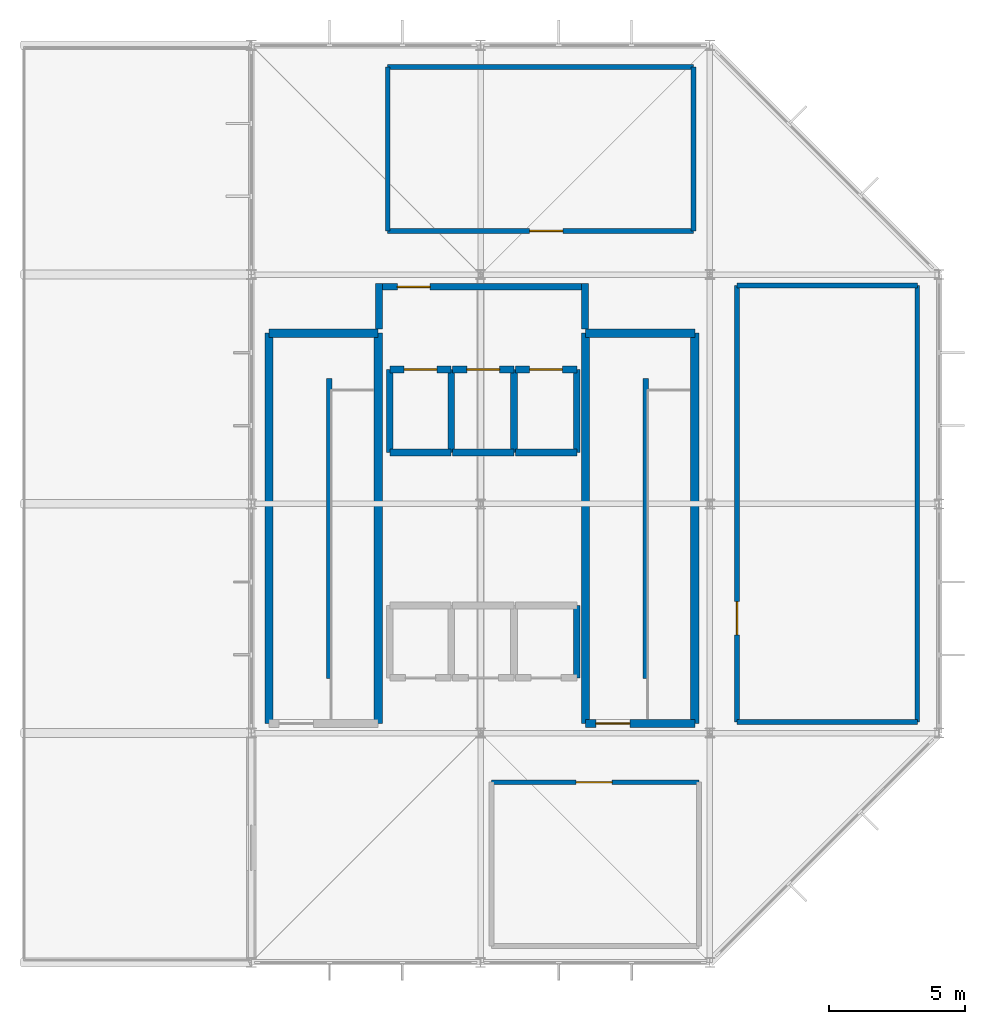
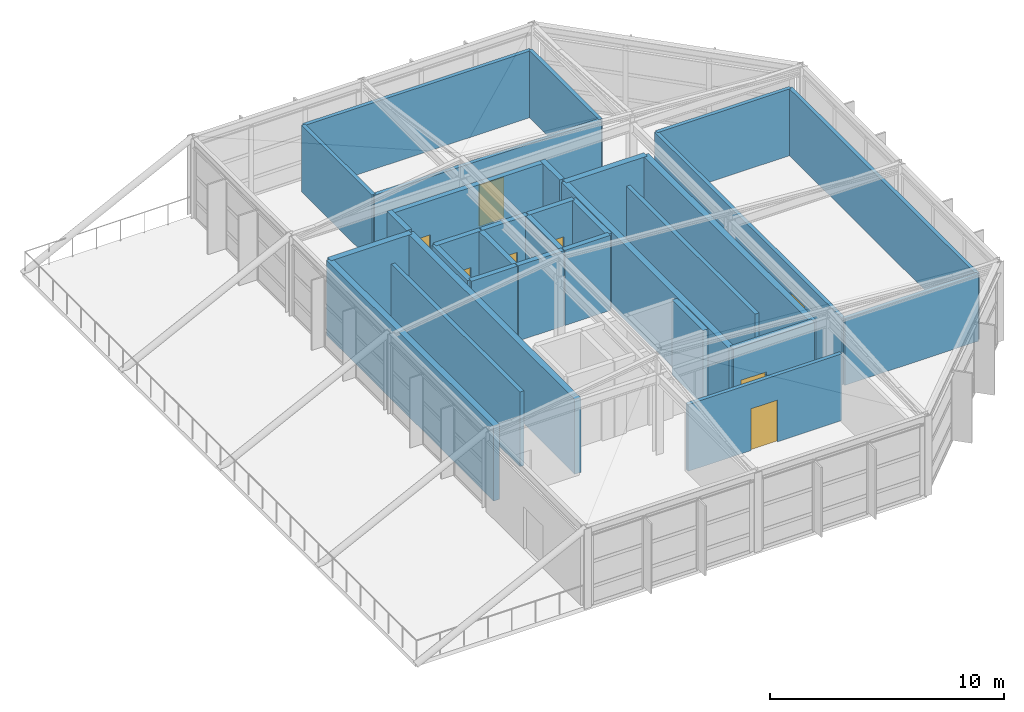
# One storey, part 8 of 9: 32 walls, 8 doors, 8 openings.
"""IFC4 building model written with IfcOpenShell, lengths in metres."""

from ifc_helpers import new_model, si_unit, direction, frame, frame_2d, origin, place, context, subcontext, project, spatial, rectangle, extrude, material, layer, layer_set, type_object, element, fill, save


model = new_model("IFC4")

# Units and contexts
model_context = context("Model", 3, precision=1e-05, world=origin(), true_north=direction((0.0, 1.0)))
body_context = subcontext(model_context, "Body", "Model", "MODEL_VIEW")
ifc_project = project(units=[si_unit("LENGTHUNIT", "METRE"), si_unit("AREAUNIT", "SQUARE_METRE"), si_unit("VOLUMEUNIT", "CUBIC_METRE"), si_unit("PLANEANGLEUNIT", "RADIAN"), si_unit("MASSUNIT", "GRAM", prefix="KILO")], contexts=[model_context])

# Site, building, storey
site_placement = place(None, origin())
site = spatial("IfcSite", under=ifc_project, at=site_placement, CompositionType="ELEMENT")
building_placement = place(site_placement, origin())
building = spatial("IfcBuilding", under=site, at=building_placement, Name="Xuanlan Plaza Opera House", CompositionType="ELEMENT")
storey_placement = place(building_placement, frame((0.0, 0.0, 74.39990234375)))
storey = spatial("IfcBuildingStorey", under=building, at=storey_placement, Name="ROOF", CompositionType="ELEMENT", Elevation=74.39990234375)

# Wall, opening, door
ifc_material_1 = material(Name="Gypsum Board and Galvanised Steel Studs", Category="gypsum")
ifc_layer_1 = layer(ifc_material_1, 0.179931640625)
ifc_layer_set_1 = layer_set([ifc_layer_1], Name="Gypsum Board and Galvanised Steel Studs")
wall_type_1 = type_object("IfcWallType", Name="INT-WL-PW-02", PredefinedType="PARTITIONING", material=ifc_layer_set_1)
wall_1_placement = place(storey_placement, frame((143.199951171875, 48.60009765625, 0.0), z_axis=(0.0, 0.0, 1.0), x_axis=(1.0, 0.0, 0.0)))
wall_1 = element("IfcWall", 1, at=wall_1_placement, inside=storey, type_object=wall_type_1, Name="Crown Electrical Switchgear Plant Room Wall North", PredefinedType="PARTITIONING", context=body_context, shape_type="SweptSolid", body=[
    extrude(rectangle(XDim=7.60009765625, YDim=0.179931640625, at=frame_2d((3.800048828125, 0.0))), origin(), (0.0, 0.0, 1.0), 3.47998046875),
])
opening_1_placement = place(wall_1_placement, frame((3.10009765625, 0.0, 0.0)))
opening_1 = element("IfcOpeningElement", 2, at=opening_1_placement, cuts=wall_1, Name="Opening D-07", PredefinedType="OPENING", context=body_context, shape_type="SweptSolid", body=[
    extrude(rectangle(XDim=1.320068359375, YDim=2.179931640625, at=frame_2d((0.66015625, 1.08984375))), frame((0.0, 0.099853515625, 0.0), z_axis=(0.0, -1.0, 0.0), x_axis=(1.0, 0.0, 0.0)), (0.0, 0.0, 1.0), 0.199951171875),
])
ifc_material_2 = material(Name="Walnut Hardwood Timber", Category="wood")
door_type_1 = type_object("IfcDoorType", Name="INT-DR-D-07", OperationType="NOTDEFINED", PredefinedType="DOOR", material=ifc_material_2)
door_1_placement = place(opening_1_placement, origin())
door_1 = element("IfcDoor", 3, at=door_1_placement, inside=storey, type_object=door_type_1, Name="Crown Electrical Switchgear Plant Room Door 1", OperationType="SINGLE_SWING_LEFT", OverallHeight=2.179931640625, OverallWidth=1.320068359375, PredefinedType="DOOR", context=body_context, shape_type="SweptSolid", body=[
    extrude(rectangle(XDim=1.320068359375, YDim=2.179931640625, at=frame_2d((0.66015625, 1.08984375))), frame((0.0, 0.02490234375, 0.0), z_axis=(0.0, -1.0, 0.0), x_axis=(1.0, 0.0, 0.0)), (0.0, 0.0, 1.0), 0.050048828125),
])
fill(opening_1, door_1)

# Walls
for number, where, z_axis, x_axis, name in (
    (4, (152.199951171875, 50.800048828125, 0.0), (0.0, 0.0, 1.0), (1.0, 0.0, 0.0), "Crown Acoustic Equipment Maintenance Store Wall South"),
    (5, (152.199951171875, 66.800048828125, 0.0), (0.0, 0.0, 1.0), (1.0, 0.0, 0.0), "Crown Acoustic Equipment Maintenance Store Wall North"),
):
    element("IfcWall", number, at=place(storey_placement, frame(where, z_axis=z_axis, x_axis=x_axis)), inside=storey, type_object=wall_type_1, Name=name, PredefinedType="PARTITIONING", context=body_context, shape_type="SweptSolid", body=[
        extrude(rectangle(XDim=6.60009765625, YDim=0.179931640625, at=frame_2d((3.300048828125, 0.0))), origin(), (0.0, 0.0, 1.0), 3.47998046875),
    ])

# Wall, opening, door
wall_2_placement = place(storey_placement, frame((152.199951171875, 50.800048828125, 0.0), z_axis=(0.0, 0.0, 1.0), x_axis=(0.0, 1.0, 0.0)))
wall_2 = element("IfcWall", 6, at=wall_2_placement, inside=storey, type_object=wall_type_1, Name="Crown Acoustic Equipment Maintenance Store Wall West", PredefinedType="PARTITIONING", context=body_context, shape_type="SweptSolid", body=[
    extrude(rectangle(XDim=16.0, YDim=0.179931640625, at=frame_2d((8.0, 0.0))), origin(), (0.0, 0.0, 1.0), 3.47998046875),
])
opening_2_placement = place(wall_2_placement, frame((3.199951171875, 0.0, 0.0)))
opening_2 = element("IfcOpeningElement", 7, at=opening_2_placement, cuts=wall_2, Name="Opening D-05", PredefinedType="OPENING", context=body_context, shape_type="SweptSolid", body=[
    extrude(rectangle(XDim=1.219970703125, YDim=2.14990234375, at=frame_2d((0.60986328125, 1.074951171875))), frame((0.0, 0.099853515625, 0.0), z_axis=(0.0, -1.0, 0.0), x_axis=(1.0, 0.0, 0.0)), (0.0, 0.0, 1.0), 0.199951171875),
])
door_type_2 = type_object("IfcDoorType", Name="INT-DR-D-05", OperationType="NOTDEFINED", PredefinedType="DOOR", material=ifc_material_2)
door_2_placement = place(opening_2_placement, origin())
door_2 = element("IfcDoor", 8, at=door_2_placement, inside=storey, type_object=door_type_2, Name="Crown Acoustic Equipment Maintenance Store Door 1", OperationType="SINGLE_SWING_LEFT", OverallHeight=2.14990234375, OverallWidth=1.219970703125, PredefinedType="DOOR", context=body_context, shape_type="SweptSolid", body=[
    extrude(rectangle(XDim=1.219970703125, YDim=2.14990234375, at=frame_2d((0.60986328125, 1.074951171875))), frame((0.0, 0.02490234375, 0.0), z_axis=(0.0, -1.0, 0.0), x_axis=(1.0, 0.0, 0.0)), (0.0, 0.0, 1.0), 0.050048828125),
])
fill(opening_2, door_2)

# Wall
wall_3_placement = place(storey_placement, frame((158.800048828125, 50.800048828125, 0.0), z_axis=(0.0, 0.0, 1.0), x_axis=(0.0, 1.0, 0.0)))
element("IfcWall", 9, at=wall_3_placement, inside=storey, type_object=wall_type_1, Name="Crown Acoustic Equipment Maintenance Store Wall East", PredefinedType="PARTITIONING", context=body_context, shape_type="SweptSolid", body=[
    extrude(rectangle(XDim=16.0, YDim=0.179931640625, at=frame_2d((8.0, 0.0))), origin(), (0.0, 0.0, 1.0), 3.47998046875),
])

# Wall, opening, door
wall_4_placement = place(storey_placement, frame((139.39990234375, 68.800048828125, 0.0), z_axis=(0.0, 0.0, 1.0), x_axis=(1.0, 0.0, 0.0)))
wall_4 = element("IfcWall", 10, at=wall_4_placement, inside=storey, type_object=wall_type_1, Name="Crown Heat-Recovery Plant Room Wall South", PredefinedType="PARTITIONING", context=body_context, shape_type="SweptSolid", body=[
    extrude(rectangle(XDim=11.2001953125, YDim=0.179931640625, at=frame_2d((5.60009765625, 0.0))), origin(), (0.0, 0.0, 1.0), 3.47998046875),
])
opening_3_placement = place(wall_4_placement, frame((5.199951171875, 0.0, 0.0)))
opening_3 = element("IfcOpeningElement", 11, at=opening_3_placement, cuts=wall_4, Name="Opening D-05", PredefinedType="OPENING", context=body_context, shape_type="SweptSolid", body=[
    extrude(rectangle(XDim=1.219970703125, YDim=2.14990234375, at=frame_2d((0.60986328125, 1.074951171875))), frame((0.0, 0.099853515625, 0.0), z_axis=(0.0, -1.0, 0.0), x_axis=(1.0, 0.0, 0.0)), (0.0, 0.0, 1.0), 0.199951171875),
])
door_3_placement = place(opening_3_placement, origin())
door_3 = element("IfcDoor", 12, at=door_3_placement, inside=storey, type_object=door_type_2, Name="Crown Heat-Recovery Plant Room Door 1", OperationType="SINGLE_SWING_LEFT", OverallHeight=2.14990234375, OverallWidth=1.219970703125, PredefinedType="DOOR", context=body_context, shape_type="SweptSolid", body=[
    extrude(rectangle(XDim=1.219970703125, YDim=2.14990234375, at=frame_2d((0.60986328125, 1.074951171875))), frame((0.0, 0.02490234375, 0.0), z_axis=(0.0, -1.0, 0.0), x_axis=(1.0, 0.0, 0.0)), (0.0, 0.0, 1.0), 0.050048828125),
])
fill(opening_3, door_3)

# Walls
wall_5_placement = place(storey_placement, frame((139.39990234375, 74.800048828125, 0.0), z_axis=(0.0, 0.0, 1.0), x_axis=(1.0, 0.0, 0.0)))
element("IfcWall", 13, at=wall_5_placement, inside=storey, type_object=wall_type_1, Name="Crown Heat-Recovery Plant Room Wall North", PredefinedType="PARTITIONING", context=body_context, shape_type="SweptSolid", body=[
    extrude(rectangle(XDim=11.2001953125, YDim=0.179931640625, at=frame_2d((5.60009765625, 0.0))), origin(), (0.0, 0.0, 1.0), 3.47998046875),
])
for number, where, z_axis, x_axis, name in (
    (14, (139.39990234375, 68.800048828125, 0.0), (0.0, 0.0, 1.0), (0.0, 1.0, 0.0), "Crown Heat-Recovery Plant Room Wall West"),
    (15, (150.60009765625, 68.800048828125, 0.0), (0.0, 0.0, 1.0), (0.0, 1.0, 0.0), "Crown Heat-Recovery Plant Room Wall East"),
):
    element("IfcWall", number, at=place(storey_placement, frame(where, z_axis=z_axis, x_axis=x_axis)), inside=storey, type_object=wall_type_1, Name=name, PredefinedType="PARTITIONING", context=body_context, shape_type="SweptSolid", body=[
        extrude(rectangle(XDim=6.0, YDim=0.179931640625, at=frame_2d((3.0, 0.0))), origin(), (0.0, 0.0, 1.0), 3.47998046875),
    ])
ifc_material_3 = material(Name="Concrete C40", Category="concrete")
ifc_layer_2 = layer(ifc_material_3, 0.25)
ifc_layer_set_2 = layer_set([ifc_layer_2], Name="Concrete C40")
wall_type_2 = type_object("IfcWallType", Name="INT-WL-SW-LF1", PredefinedType="SHEAR", material=ifc_layer_set_2)
wall_6_placement = place(storey_placement, frame((139.47509765625, 60.675048828125, 0.0), z_axis=(0.0, 0.0, 1.0), x_axis=(1.0, 0.0, 0.0)))
element("IfcWall", 16, at=wall_6_placement, inside=storey, type_object=wall_type_2, Name="Lift Shaft Wall LF-FF1 ROOF South", PredefinedType="SHEAR", context=body_context, shape_type="SweptSolid", body=[
    extrude(rectangle(XDim=2.25, YDim=0.25, at=frame_2d((1.125, 0.0))), origin(), (0.0, 0.0, 1.0), 3.920166015625),
])

# Wall, opening, door
wall_7_placement = place(storey_placement, frame((139.47509765625, 63.72509765625, 0.0), z_axis=(0.0, 0.0, 1.0), x_axis=(1.0, 0.0, 0.0)))
wall_7 = element("IfcWall", 17, at=wall_7_placement, inside=storey, type_object=wall_type_2, Name="Lift Shaft Wall LF-FF1 ROOF North", PredefinedType="SHEAR", context=body_context, shape_type="SweptSolid", body=[
    extrude(rectangle(XDim=2.25, YDim=0.25, at=frame_2d((1.125, 0.0))), origin(), (0.0, 0.0, 1.0), 3.920166015625),
])
opening_4_placement = place(wall_7_placement, frame((0.52490234375, 0.0, 0.0)))
opening_4 = element("IfcOpeningElement", 18, at=opening_4_placement, cuts=wall_7, Name="Opening LD-FF1-ROOF", PredefinedType="OPENING", context=body_context, shape_type="SweptSolid", body=[
    extrude(rectangle(XDim=1.199951171875, YDim=2.179931640625, at=frame_2d((0.60009765625, 1.08984375))), frame((0.0, 0.135009765625, 0.0), z_axis=(0.0, -1.0, 0.0), x_axis=(1.0, 0.0, 0.0)), (0.0, 0.0, 1.0), 0.27001953125),
])
ifc_material_4 = material(Name="Stainless Steel S30408", Category="steel")
door_type_3 = type_object("IfcDoorType", Name="INT-DR-LD-02", OperationType="DOUBLE_DOOR_SLIDING", PredefinedType="DOOR", material=ifc_material_4)
door_4_placement = place(opening_4_placement, origin())
door_4 = element("IfcDoor", 19, at=door_4_placement, inside=storey, type_object=door_type_3, Name="Lift Sliding Landing Door LF-FF1 ROOF", OperationType="DOUBLE_DOOR_SLIDING", OverallHeight=2.179931640625, OverallWidth=1.199951171875, PredefinedType="DOOR", context=body_context, shape_type="SweptSolid", body=[
    extrude(rectangle(XDim=1.199951171875, YDim=2.179931640625, at=frame_2d((0.60009765625, 1.08984375))), frame((0.0, 0.02490234375, 0.0), z_axis=(0.0, -1.0, 0.0), x_axis=(1.0, 0.0, 0.0)), (0.0, 0.0, 1.0), 0.050048828125),
])
fill(opening_4, door_4)

# Walls
for number, where, z_axis, x_axis, name in (
    (20, (139.47509765625, 60.675048828125, 0.0), (0.0, 0.0, 1.0), (0.0, 1.0, 0.0), "Lift Shaft Wall LF-FF1 ROOF West"),
    (21, (141.72509765625, 60.675048828125, 0.0), (0.0, 0.0, 1.0), (0.0, 1.0, 0.0), "Lift Shaft Wall LF-FF1 ROOF East"),
):
    element("IfcWall", number, at=place(storey_placement, frame(where, z_axis=z_axis, x_axis=x_axis)), inside=storey, type_object=wall_type_2, Name=name, PredefinedType="SHEAR", context=body_context, shape_type="SweptSolid", body=[
        extrude(rectangle(XDim=3.050048828125, YDim=0.25, at=frame_2d((1.52490234375, 0.0))), origin(), (0.0, 0.0, 1.0), 3.920166015625),
    ])
wall_8_placement = place(storey_placement, frame((141.77490234375, 60.675048828125, 0.0), z_axis=(0.0, 0.0, 1.0), x_axis=(1.0, 0.0, 0.0)))
element("IfcWall", 22, at=wall_8_placement, inside=storey, type_object=wall_type_2, Name="Lift Shaft Wall LF-FF2 ROOF South", PredefinedType="SHEAR", context=body_context, shape_type="SweptSolid", body=[
    extrude(rectangle(XDim=2.25, YDim=0.25, at=frame_2d((1.125, 0.0))), origin(), (0.0, 0.0, 1.0), 3.920166015625),
])

# Wall, opening, door
wall_9_placement = place(storey_placement, frame((141.77490234375, 63.72509765625, 0.0), z_axis=(0.0, 0.0, 1.0), x_axis=(1.0, 0.0, 0.0)))
wall_9 = element("IfcWall", 23, at=wall_9_placement, inside=storey, type_object=wall_type_2, Name="Lift Shaft Wall LF-FF2 ROOF North", PredefinedType="SHEAR", context=body_context, shape_type="SweptSolid", body=[
    extrude(rectangle(XDim=2.25, YDim=0.25, at=frame_2d((1.125, 0.0))), origin(), (0.0, 0.0, 1.0), 3.920166015625),
])
opening_5_placement = place(wall_9_placement, frame((0.52490234375, 0.0, 0.0)))
opening_5 = element("IfcOpeningElement", 24, at=opening_5_placement, cuts=wall_9, Name="Opening LD-FF2-ROOF", PredefinedType="OPENING", context=body_context, shape_type="SweptSolid", body=[
    extrude(rectangle(XDim=1.199951171875, YDim=2.179931640625, at=frame_2d((0.60009765625, 1.08984375))), frame((0.0, 0.135009765625, 0.0), z_axis=(0.0, -1.0, 0.0), x_axis=(1.0, 0.0, 0.0)), (0.0, 0.0, 1.0), 0.27001953125),
])
door_5_placement = place(opening_5_placement, origin())
door_5 = element("IfcDoor", 25, at=door_5_placement, inside=storey, type_object=door_type_3, Name="Lift Sliding Landing Door LF-FF2 ROOF", OperationType="DOUBLE_DOOR_SLIDING", OverallHeight=2.179931640625, OverallWidth=1.199951171875, PredefinedType="DOOR", context=body_context, shape_type="SweptSolid", body=[
    extrude(rectangle(XDim=1.199951171875, YDim=2.179931640625, at=frame_2d((0.60009765625, 1.08984375))), frame((0.0, 0.02490234375, 0.0), z_axis=(0.0, -1.0, 0.0), x_axis=(1.0, 0.0, 0.0)), (0.0, 0.0, 1.0), 0.050048828125),
])
fill(opening_5, door_5)

# Walls
wall_10_placement = place(storey_placement, frame((144.02490234375, 60.675048828125, 0.0), z_axis=(0.0, 0.0, 1.0), x_axis=(0.0, 1.0, 0.0)))
element("IfcWall", 26, at=wall_10_placement, inside=storey, type_object=wall_type_2, Name="Lift Shaft Wall LF-FF2 ROOF East", PredefinedType="SHEAR", context=body_context, shape_type="SweptSolid", body=[
    extrude(rectangle(XDim=3.050048828125, YDim=0.25, at=frame_2d((1.52490234375, 0.0))), origin(), (0.0, 0.0, 1.0), 3.920166015625),
])
wall_11_placement = place(storey_placement, frame((144.074951171875, 60.675048828125, 0.0), z_axis=(0.0, 0.0, 1.0), x_axis=(1.0, 0.0, 0.0)))
element("IfcWall", 27, at=wall_11_placement, inside=storey, type_object=wall_type_2, Name="Lift Shaft Wall LF-FF3 ROOF South", PredefinedType="SHEAR", context=body_context, shape_type="SweptSolid", body=[
    extrude(rectangle(XDim=2.25, YDim=0.25, at=frame_2d((1.125, 0.0))), origin(), (0.0, 0.0, 1.0), 3.920166015625),
])

# Wall, opening, door
wall_12_placement = place(storey_placement, frame((144.074951171875, 63.72509765625, 0.0), z_axis=(0.0, 0.0, 1.0), x_axis=(1.0, 0.0, 0.0)))
wall_12 = element("IfcWall", 28, at=wall_12_placement, inside=storey, type_object=wall_type_2, Name="Lift Shaft Wall LF-FF3 ROOF North", PredefinedType="SHEAR", context=body_context, shape_type="SweptSolid", body=[
    extrude(rectangle(XDim=2.25, YDim=0.25, at=frame_2d((1.125, 0.0))), origin(), (0.0, 0.0, 1.0), 3.920166015625),
])
opening_6_placement = place(wall_12_placement, frame((0.52490234375, 0.0, 0.0)))
opening_6 = element("IfcOpeningElement", 29, at=opening_6_placement, cuts=wall_12, Name="Opening LD-FF3-ROOF", PredefinedType="OPENING", context=body_context, shape_type="SweptSolid", body=[
    extrude(rectangle(XDim=1.199951171875, YDim=2.179931640625, at=frame_2d((0.60009765625, 1.08984375))), frame((0.0, 0.135009765625, 0.0), z_axis=(0.0, -1.0, 0.0), x_axis=(1.0, 0.0, 0.0)), (0.0, 0.0, 1.0), 0.27001953125),
])
door_6_placement = place(opening_6_placement, origin())
door_6 = element("IfcDoor", 30, at=door_6_placement, inside=storey, type_object=door_type_3, Name="Lift Sliding Landing Door LF-FF3 ROOF", OperationType="DOUBLE_DOOR_SLIDING", OverallHeight=2.179931640625, OverallWidth=1.199951171875, PredefinedType="DOOR", context=body_context, shape_type="SweptSolid", body=[
    extrude(rectangle(XDim=1.199951171875, YDim=2.179931640625, at=frame_2d((0.60009765625, 1.08984375))), frame((0.0, 0.02490234375, 0.0), z_axis=(0.0, -1.0, 0.0), x_axis=(1.0, 0.0, 0.0)), (0.0, 0.0, 1.0), 0.050048828125),
])
fill(opening_6, door_6)

# Walls
wall_13_placement = place(storey_placement, frame((146.324951171875, 60.675048828125, 0.0), z_axis=(0.0, 0.0, 1.0), x_axis=(0.0, 1.0, 0.0)))
element("IfcWall", 31, at=wall_13_placement, inside=storey, type_object=wall_type_2, Name="Lift Shaft Wall LF-FF3 ROOF East", PredefinedType="SHEAR", context=body_context, shape_type="SweptSolid", body=[
    extrude(rectangle(XDim=3.050048828125, YDim=0.25, at=frame_2d((1.52490234375, 0.0))), origin(), (0.0, 0.0, 1.0), 3.920166015625),
])
wall_14_placement = place(storey_placement, frame((146.324951171875, 52.425048828125, 0.0), z_axis=(0.0, 0.0, 1.0), x_axis=(0.0, 1.0, 0.0)))
element("IfcWall", 32, at=wall_14_placement, inside=storey, type_object=wall_type_2, Name="Lift Shaft Wall LF-P3 ROOF East", PredefinedType="SHEAR", context=body_context, shape_type="SweptSolid", body=[
    extrude(rectangle(XDim=2.64990234375, YDim=0.25, at=frame_2d((1.324951171875, 0.0))), origin(), (0.0, 0.0, 1.0), 3.920166015625),
])
for number, where, z_axis, x_axis, name in (
    (33, (139.074951171875, 65.199951171875, 0.0), (0.0, 0.0, 1.0), (0.0, 1.0, 0.0), "Firefighting Lift Lobby Enclosure Wall ROOF W"),
    (34, (146.625, 65.199951171875, 0.0), (0.0, 0.0, 1.0), (0.0, 1.0, 0.0), "Firefighting Lift Lobby Enclosure Wall ROOF E"),
):
    element("IfcWall", number, at=place(storey_placement, frame(where, z_axis=z_axis, x_axis=x_axis)), inside=storey, type_object=wall_type_2, Name=name, PredefinedType="SHEAR", context=body_context, shape_type="SweptSolid", body=[
        extrude(rectangle(XDim=1.675048828125, YDim=0.25, at=frame_2d((0.83740234375, 0.0))), origin(), (0.0, 0.0, 1.0), 3.920166015625),
    ])

# Wall, opening, door
wall_15_placement = place(storey_placement, frame((139.199951171875, 66.75, 0.0), z_axis=(0.0, 0.0, 1.0), x_axis=(1.0, 0.0, 0.0)))
wall_15 = element("IfcWall", 35, at=wall_15_placement, inside=storey, type_object=wall_type_2, Name="Firefighting Lift Lobby Wall North", PredefinedType="SHEAR", context=body_context, shape_type="SweptSolid", body=[
    extrude(rectangle(XDim=7.300048828125, YDim=0.25, at=frame_2d((3.64990234375, 0.0))), origin(), (0.0, 0.0, 1.0), 3.920166015625),
])
opening_7_placement = place(wall_15_placement, frame((0.550048828125, 0.0, 0.0)))
opening_7 = element("IfcOpeningElement", 36, at=opening_7_placement, cuts=wall_15, Name="Opening FD-02", PredefinedType="OPENING", context=body_context, shape_type="SweptSolid", body=[
    extrude(rectangle(XDim=1.199951171875, YDim=2.14990234375, at=frame_2d((0.60009765625, 1.074951171875))), frame((0.0, 0.135009765625, 0.0), z_axis=(0.0, -1.0, 0.0), x_axis=(1.0, 0.0, 0.0)), (0.0, 0.0, 1.0), 0.27001953125),
])
ifc_material_5 = material(Name="Galvanised Steel Q235B", Category="steel")
door_type_4 = type_object("IfcDoorType", Name="INT-DR-FD-02", OperationType="NOTDEFINED", PredefinedType="DOOR", material=ifc_material_5)
door_7_placement = place(opening_7_placement, origin())
door_7 = element("IfcDoor", 37, at=door_7_placement, inside=storey, type_object=door_type_4, Name="Firefighting Lift Lobby Door 1", OperationType="SINGLE_SWING_RIGHT", OverallHeight=2.14990234375, OverallWidth=1.199951171875, PredefinedType="DOOR", context=body_context, shape_type="SweptSolid", body=[
    extrude(rectangle(XDim=1.199951171875, YDim=2.14990234375, at=frame_2d((0.60009765625, 1.074951171875))), frame((0.0, 0.02490234375, 0.0), z_axis=(0.0, -1.0, 0.0), x_axis=(1.0, 0.0, 0.0)), (0.0, 0.0, 1.0), 0.050048828125),
])
fill(opening_7, door_7)

# Walls
ifc_layer_3 = layer(ifc_material_3, 0.199951171875)
ifc_layer_set_3 = layer_set([ifc_layer_3], Name="Concrete C40")
wall_type_3 = type_object("IfcWallType", Name="INT-WL-SW-SPN", PredefinedType="SHEAR", material=ifc_layer_set_3)
for number, where, z_axis, x_axis, name in (
    (38, (137.25, 52.39990234375, 0.0), (0.0, 0.0, 1.0), (0.0, 1.0, 0.0), "Stair Structural Spine Wall ST-T1 ROOF"),
    (39, (148.85009765625, 52.39990234375, 0.0), (0.0, 0.0, 1.0), (0.0, 1.0, 0.0), "Stair Structural Spine Wall ST-T2 ROOF"),
):
    element("IfcWall", number, at=place(storey_placement, frame(where, z_axis=z_axis, x_axis=x_axis)), inside=storey, type_object=wall_type_3, Name=name, PredefinedType="SHEAR", context=body_context, shape_type="SweptSolid", body=[
        extrude(rectangle(XDim=11.0, YDim=0.199951171875, at=frame_2d((5.5, 0.0))), origin(), (0.0, 0.0, 1.0), 3.900146484375),
    ])
ifc_layer_4 = layer(ifc_material_3, 0.300048828125)
ifc_layer_set_4 = layer_set([ifc_layer_4], Name="Concrete C40")
wall_type_4 = type_object("IfcWallType", Name="INT-WL-SW-ST1", PredefinedType="SHEAR", material=ifc_layer_set_4)
wall_16_placement = place(storey_placement, frame((135.050048828125, 65.050048828125, 0.0), z_axis=(0.0, 0.0, 1.0), x_axis=(1.0, 0.0, 0.0)))
element("IfcWall", 40, at=wall_16_placement, inside=storey, type_object=wall_type_4, Name="Stair Core Wall ST-T1 ROOF North", PredefinedType="SHEAR", context=body_context, shape_type="SweptSolid", body=[
    extrude(rectangle(XDim=4.0, YDim=0.300048828125, at=frame_2d((2.0, 0.0))), origin(), (0.0, 0.0, 1.0), 3.900146484375),
])
for number, where, z_axis, x_axis, name in (
    (41, (135.050048828125, 50.75, 0.0), (0.0, 0.0, 1.0), (0.0, 1.0, 0.0), "Stair Core Wall ST-T1 ROOF West"),
    (42, (139.050048828125, 50.75, 0.0), (0.0, 0.0, 1.0), (0.0, 1.0, 0.0), "Stair Core Wall ST-T1 ROOF East"),
):
    element("IfcWall", number, at=place(storey_placement, frame(where, z_axis=z_axis, x_axis=x_axis)), inside=storey, type_object=wall_type_4, Name=name, PredefinedType="SHEAR", context=body_context, shape_type="SweptSolid", body=[
        extrude(rectangle(XDim=14.300048828125, YDim=0.300048828125, at=frame_2d((7.14990234375, 0.0))), origin(), (0.0, 0.0, 1.0), 3.900146484375),
    ])

# Wall, opening, door
wall_17_placement = place(storey_placement, frame((146.64990234375, 50.75, 0.0), z_axis=(0.0, 0.0, 1.0), x_axis=(1.0, 0.0, 0.0)))
wall_17 = element("IfcWall", 43, at=wall_17_placement, inside=storey, type_object=wall_type_4, Name="Stair Core Wall ST-T2 ROOF South", PredefinedType="SHEAR", context=body_context, shape_type="SweptSolid", body=[
    extrude(rectangle(XDim=4.0, YDim=0.300048828125, at=frame_2d((2.0, 0.0))), origin(), (0.0, 0.0, 1.0), 3.900146484375),
])
opening_8_placement = place(wall_17_placement, frame((0.375, 0.0, 0.0)))
opening_8 = element("IfcOpeningElement", 44, at=opening_8_placement, cuts=wall_17, Name="Opening FD-ST1", PredefinedType="OPENING", context=body_context, shape_type="SweptSolid", body=[
    extrude(rectangle(XDim=1.25, YDim=2.14990234375, at=frame_2d((0.625, 1.074951171875))), frame((0.0, 0.159912109375, 0.0), z_axis=(0.0, -1.0, 0.0), x_axis=(1.0, 0.0, 0.0)), (0.0, 0.0, 1.0), 0.320068359375),
])
door_type_5 = type_object("IfcDoorType", Name="INT-DR-FD-ST1", OperationType="NOTDEFINED", PredefinedType="DOOR", material=ifc_material_5)
door_8_placement = place(opening_8_placement, origin())
door_8 = element("IfcDoor", 45, at=door_8_placement, inside=storey, type_object=door_type_5, Name="Stair Enclosure Fire Door ST-T2 ROOF", OperationType="SINGLE_SWING_RIGHT", OverallHeight=2.14990234375, OverallWidth=1.25, PredefinedType="DOOR", context=body_context, shape_type="SweptSolid", body=[
    extrude(rectangle(XDim=1.25, YDim=2.14990234375, at=frame_2d((0.625, 1.074951171875))), frame((0.0, 0.02490234375, 0.0), z_axis=(0.0, -1.0, 0.0), x_axis=(1.0, 0.0, 0.0)), (0.0, 0.0, 1.0), 0.050048828125),
])
fill(opening_8, door_8)

# Walls
wall_18_placement = place(storey_placement, frame((146.64990234375, 65.050048828125, 0.0), z_axis=(0.0, 0.0, 1.0), x_axis=(1.0, 0.0, 0.0)))
element("IfcWall", 46, at=wall_18_placement, inside=storey, type_object=wall_type_4, Name="Stair Core Wall ST-T2 ROOF North", PredefinedType="SHEAR", context=body_context, shape_type="SweptSolid", body=[
    extrude(rectangle(XDim=4.0, YDim=0.300048828125, at=frame_2d((2.0, 0.0))), origin(), (0.0, 0.0, 1.0), 3.900146484375),
])
for number, where, z_axis, x_axis, name in (
    (47, (146.64990234375, 50.75, 0.0), (0.0, 0.0, 1.0), (0.0, 1.0, 0.0), "Stair Core Wall ST-T2 ROOF West"),
    (48, (150.64990234375, 50.75, 0.0), (0.0, 0.0, 1.0), (0.0, 1.0, 0.0), "Stair Core Wall ST-T2 ROOF East"),
):
    element("IfcWall", number, at=place(storey_placement, frame(where, z_axis=z_axis, x_axis=x_axis)), inside=storey, type_object=wall_type_4, Name=name, PredefinedType="SHEAR", context=body_context, shape_type="SweptSolid", body=[
        extrude(rectangle(XDim=14.300048828125, YDim=0.300048828125, at=frame_2d((7.14990234375, 0.0))), origin(), (0.0, 0.0, 1.0), 3.900146484375),
    ])

save(model, "model.ifc")
